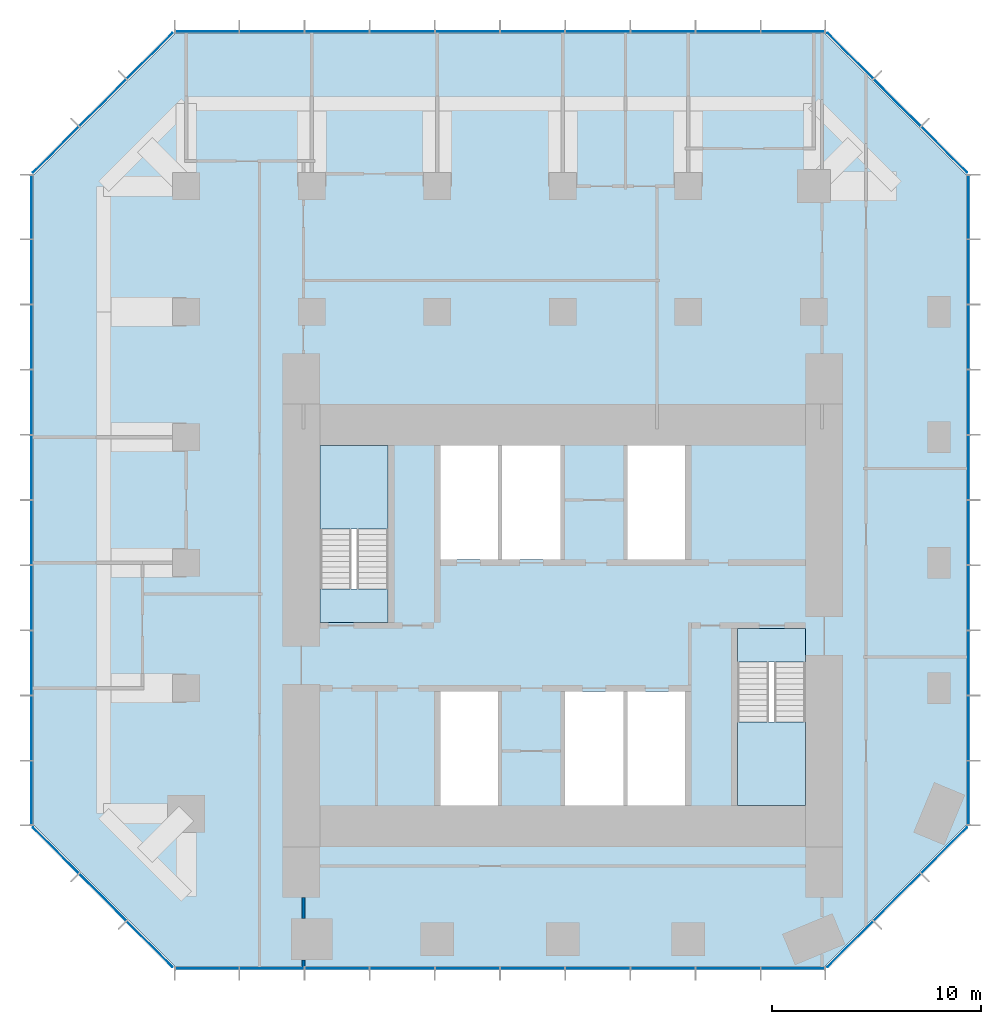
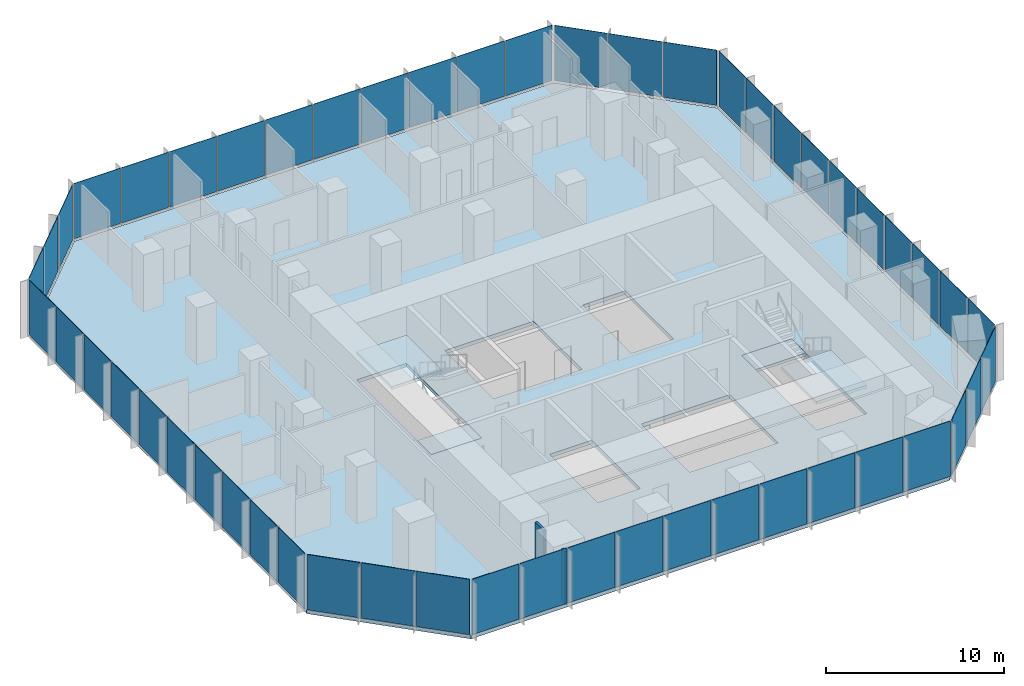
# One storey, part 7 of 11: 52 plates, 5 slabs, 2 walls, 10 elements without a shape of their own.
"""IFC4 building model written with IfcOpenShell, lengths in metres."""

from ifc_helpers import new_model, si_unit, direction, frame, frame_2d, origin, origin_2d, place, context, subcontext, project, spatial, polyline, rectangle, outline, extrude, material, layer, layer_set, type_object, element, aggregate, save


model = new_model("IFC4")

# Units and contexts
model_context = context("Model", 3, precision=1e-05, world=origin(), true_north=direction((0.0, 1.0)))
body_context = subcontext(model_context, "Body", "Model", "MODEL_VIEW")
ifc_project = project(units=[si_unit("LENGTHUNIT", "METRE"), si_unit("AREAUNIT", "SQUARE_METRE"), si_unit("VOLUMEUNIT", "CUBIC_METRE"), si_unit("PLANEANGLEUNIT", "RADIAN"), si_unit("MASSUNIT", "GRAM", prefix="KILO")], contexts=[model_context])

# Site, building, storey
site_placement = place(None, origin())
site = spatial("IfcSite", under=ifc_project, at=site_placement, CompositionType="ELEMENT")
building_placement = place(site_placement, origin())
building = spatial("IfcBuilding", under=site, at=building_placement, Name="Highveld Stack Headquarters", CompositionType="ELEMENT")
storey_placement = place(building_placement, frame((0.0, 0.0, 204.5)))
storey = spatial("IfcBuildingStorey", under=building, at=storey_placement, Name="L50", CompositionType="ELEMENT", Elevation=204.5)

# Curtain wall, plates
ifc_material_1 = material(Name="Aluminium bronze anodised", Category="aluminium")
ifc_layer_1 = layer(ifc_material_1, 0.199951171875)
ifc_layer_set_1 = layer_set([ifc_layer_1], Name="Aluminium bronze anodised")
curtain_wall_type_1 = type_object("IfcCurtainWallType", Name="CW1 TOWER UNITISED CURTAIN WALL", PredefinedType="NOTDEFINED", material=ifc_layer_set_1)
curtain_wall_1_placement = place(storey_placement, origin())
curtain_wall_1 = element("IfcCurtainWall", 1, at=curtain_wall_1_placement, inside=storey, type_object=curtain_wall_type_1, Name="Curtain wall CW1 L50 S", PredefinedType="NOTDEFINED")
ifc_material_2 = material(Name="Glass bronze tinted double glazed unit", Category="glass")
ifc_layer_2 = layer(ifc_material_2, 0.028076171875)
ifc_layer_set_2 = layer_set([ifc_layer_2], Name="Glass bronze tinted double glazed unit")
plate_type_1 = type_object("IfcPlateType", Name="CW1 PANEL BRONZE TINTED DOUBLE GLAZED UNIT", PredefinedType="CURTAIN_PANEL", material=ifc_layer_set_2)
plate_1_placement = place(storey_placement, frame((-11.005615234375, -13.39990234375, 0.10009765625), z_axis=(0.0, 0.0, 1.0), x_axis=(1.0, 0.0, 0.0)))
plate_1 = element("IfcPlate", 2, at=plate_1_placement, type_object=plate_type_1, Name="CW1 panel L50 1.1", PredefinedType="CURTAIN_PANEL", context=body_context, shape_type="SweptSolid", body=[
    extrude(rectangle(XDim=3.0185546875, YDim=0.028076171875, at=origin_2d()), origin(), (0.0, 0.0, 1.0), 3.800048828125),
])
plate_2_placement = place(storey_placement, frame((-7.906005859375, -13.39990234375, 0.10009765625), z_axis=(0.0, 0.0, 1.0), x_axis=(1.0, 0.0, 0.0)))
plate_2 = element("IfcPlate", 3, at=plate_2_placement, type_object=plate_type_1, Name="CW1 panel L50 2.1", PredefinedType="CURTAIN_PANEL", context=body_context, shape_type="SweptSolid", body=[
    extrude(rectangle(XDim=3.051025390625, YDim=0.028076171875, at=origin_2d()), origin(), (0.0, 0.0, 1.0), 3.800048828125),
])
plate_3_placement = place(storey_placement, frame((-4.7900390625, -13.39990234375, 0.10009765625), z_axis=(0.0, 0.0, 1.0), x_axis=(1.0, 0.0, 0.0)))
plate_3 = element("IfcPlate", 4, at=plate_3_placement, type_object=plate_type_1, Name="CW1 panel L50 3.1", PredefinedType="CURTAIN_PANEL", context=body_context, shape_type="SweptSolid", body=[
    extrude(rectangle(XDim=3.051025390625, YDim=0.028076171875, at=origin_2d()), origin(), (0.0, 0.0, 1.0), 3.800048828125),
])
plate_4_placement = place(storey_placement, frame((-1.674072265625, -13.39990234375, 0.10009765625), z_axis=(0.0, 0.0, 1.0), x_axis=(1.0, 0.0, 0.0)))
plate_4 = element("IfcPlate", 5, at=plate_4_placement, type_object=plate_type_1, Name="CW1 panel L50 4.1", PredefinedType="CURTAIN_PANEL", context=body_context, shape_type="SweptSolid", body=[
    extrude(rectangle(XDim=3.051025390625, YDim=0.028076171875, at=origin_2d()), origin(), (0.0, 0.0, 1.0), 3.800048828125),
])
plate_5_placement = place(storey_placement, frame((1.44189453125, -13.39990234375, 0.10009765625), z_axis=(0.0, 0.0, 1.0), x_axis=(1.0, 0.0, 0.0)))
plate_5 = element("IfcPlate", 6, at=plate_5_placement, type_object=plate_type_1, Name="CW1 panel L50 5.1", PredefinedType="CURTAIN_PANEL", context=body_context, shape_type="SweptSolid", body=[
    extrude(rectangle(XDim=3.051025390625, YDim=0.028076171875, at=origin_2d()), origin(), (0.0, 0.0, 1.0), 3.800048828125),
])
plate_6_placement = place(storey_placement, frame((4.55810546875, -13.39990234375, 0.10009765625), z_axis=(0.0, 0.0, 1.0), x_axis=(1.0, 0.0, 0.0)))
plate_6 = element("IfcPlate", 7, at=plate_6_placement, type_object=plate_type_1, Name="CW1 panel L50 6.1", PredefinedType="CURTAIN_PANEL", context=body_context, shape_type="SweptSolid", body=[
    extrude(rectangle(XDim=3.051025390625, YDim=0.028076171875, at=origin_2d()), origin(), (0.0, 0.0, 1.0), 3.800048828125),
])
plate_7_placement = place(storey_placement, frame((7.674072265625, -13.39990234375, 0.10009765625), z_axis=(0.0, 0.0, 1.0), x_axis=(1.0, 0.0, 0.0)))
plate_7 = element("IfcPlate", 8, at=plate_7_placement, type_object=plate_type_1, Name="CW1 panel L50 7.1", PredefinedType="CURTAIN_PANEL", context=body_context, shape_type="SweptSolid", body=[
    extrude(rectangle(XDim=3.051025390625, YDim=0.028076171875, at=origin_2d()), origin(), (0.0, 0.0, 1.0), 3.800048828125),
])
plate_8_placement = place(storey_placement, frame((10.789794921875, -13.39990234375, 0.10009765625), z_axis=(0.0, 0.0, 1.0), x_axis=(1.0, 0.0, 0.0)))
plate_8 = element("IfcPlate", 9, at=plate_8_placement, type_object=plate_type_1, Name="CW1 panel L50 8.1", PredefinedType="CURTAIN_PANEL", context=body_context, shape_type="SweptSolid", body=[
    extrude(rectangle(XDim=3.051025390625, YDim=0.028076171875, at=origin_2d()), origin(), (0.0, 0.0, 1.0), 3.800048828125),
])
plate_9_placement = place(storey_placement, frame((13.906005859375, -13.39990234375, 0.10009765625), z_axis=(0.0, 0.0, 1.0), x_axis=(1.0, 0.0, 0.0)))
plate_9 = element("IfcPlate", 10, at=plate_9_placement, type_object=plate_type_1, Name="CW1 panel L50 9.1", PredefinedType="CURTAIN_PANEL", context=body_context, shape_type="SweptSolid", body=[
    extrude(rectangle(XDim=3.051025390625, YDim=0.028076171875, at=origin_2d()), origin(), (0.0, 0.0, 1.0), 3.800048828125),
])
plate_10_placement = place(storey_placement, frame((17.005615234375, -13.39990234375, 0.10009765625), z_axis=(0.0, 0.0, 1.0), x_axis=(1.0, 0.0, 0.0)))
plate_10 = element("IfcPlate", 11, at=plate_10_placement, type_object=plate_type_1, Name="CW1 panel L50 10.1", PredefinedType="CURTAIN_PANEL", context=body_context, shape_type="SweptSolid", body=[
    extrude(rectangle(XDim=3.0185546875, YDim=0.028076171875, at=origin_2d()), origin(), (0.0, 0.0, 1.0), 3.800048828125),
])
aggregate(curtain_wall_1, [plate_1, plate_2, plate_3, plate_4, plate_5, plate_6, plate_7, plate_8, plate_9, plate_10])

curtain_wall_2_placement = place(storey_placement, origin())
curtain_wall_2 = element("IfcCurtainWall", 12, at=curtain_wall_2_placement, inside=storey, type_object=curtain_wall_type_1, Name="Curtain wall CW1 L50 E", PredefinedType="NOTDEFINED")
plate_11_placement = place(storey_placement, frame((25.39990234375, -5.005615234375, 0.10009765625), z_axis=(0.0, 0.0, 1.0), x_axis=(0.0, 1.0, 0.0)))
plate_11 = element("IfcPlate", 13, at=plate_11_placement, type_object=plate_type_1, Name="CW1 panel L50 1.1", PredefinedType="CURTAIN_PANEL", context=body_context, shape_type="SweptSolid", body=[
    extrude(rectangle(XDim=3.0185546875, YDim=0.028076171875, at=origin_2d()), origin(), (0.0, 0.0, 1.0), 3.800048828125),
])
plate_12_placement = place(storey_placement, frame((25.39990234375, -1.906005859375, 0.10009765625), z_axis=(0.0, 0.0, 1.0), x_axis=(0.0, 1.0, 0.0)))
plate_12 = element("IfcPlate", 14, at=plate_12_placement, type_object=plate_type_1, Name="CW1 panel L50 2.1", PredefinedType="CURTAIN_PANEL", context=body_context, shape_type="SweptSolid", body=[
    extrude(rectangle(XDim=3.051025390625, YDim=0.028076171875, at=origin_2d()), origin(), (0.0, 0.0, 1.0), 3.800048828125),
])
plate_13_placement = place(storey_placement, frame((25.39990234375, 1.2099609375, 0.10009765625), z_axis=(0.0, 0.0, 1.0), x_axis=(0.0, 1.0, 0.0)))
plate_13 = element("IfcPlate", 15, at=plate_13_placement, type_object=plate_type_1, Name="CW1 panel L50 3.1", PredefinedType="CURTAIN_PANEL", context=body_context, shape_type="SweptSolid", body=[
    extrude(rectangle(XDim=3.051025390625, YDim=0.028076171875, at=origin_2d()), origin(), (0.0, 0.0, 1.0), 3.800048828125),
])
plate_14_placement = place(storey_placement, frame((25.39990234375, 4.325927734375, 0.10009765625), z_axis=(0.0, 0.0, 1.0), x_axis=(0.0, 1.0, 0.0)))
plate_14 = element("IfcPlate", 16, at=plate_14_placement, type_object=plate_type_1, Name="CW1 panel L50 4.1", PredefinedType="CURTAIN_PANEL", context=body_context, shape_type="SweptSolid", body=[
    extrude(rectangle(XDim=3.051025390625, YDim=0.028076171875, at=origin_2d()), origin(), (0.0, 0.0, 1.0), 3.800048828125),
])
plate_15_placement = place(storey_placement, frame((25.39990234375, 7.44189453125, 0.10009765625), z_axis=(0.0, 0.0, 1.0), x_axis=(0.0, 1.0, 0.0)))
plate_15 = element("IfcPlate", 17, at=plate_15_placement, type_object=plate_type_1, Name="CW1 panel L50 5.1", PredefinedType="CURTAIN_PANEL", context=body_context, shape_type="SweptSolid", body=[
    extrude(rectangle(XDim=3.051025390625, YDim=0.028076171875, at=origin_2d()), origin(), (0.0, 0.0, 1.0), 3.800048828125),
])
plate_16_placement = place(storey_placement, frame((25.39990234375, 10.55810546875, 0.10009765625), z_axis=(0.0, 0.0, 1.0), x_axis=(0.0, 1.0, 0.0)))
plate_16 = element("IfcPlate", 18, at=plate_16_placement, type_object=plate_type_1, Name="CW1 panel L50 6.1", PredefinedType="CURTAIN_PANEL", context=body_context, shape_type="SweptSolid", body=[
    extrude(rectangle(XDim=3.051025390625, YDim=0.028076171875, at=origin_2d()), origin(), (0.0, 0.0, 1.0), 3.800048828125),
])
plate_17_placement = place(storey_placement, frame((25.39990234375, 13.674072265625, 0.10009765625), z_axis=(0.0, 0.0, 1.0), x_axis=(0.0, 1.0, 0.0)))
plate_17 = element("IfcPlate", 19, at=plate_17_placement, type_object=plate_type_1, Name="CW1 panel L50 7.1", PredefinedType="CURTAIN_PANEL", context=body_context, shape_type="SweptSolid", body=[
    extrude(rectangle(XDim=3.051025390625, YDim=0.028076171875, at=origin_2d()), origin(), (0.0, 0.0, 1.0), 3.800048828125),
])
plate_18_placement = place(storey_placement, frame((25.39990234375, 16.789794921875, 0.10009765625), z_axis=(0.0, 0.0, 1.0), x_axis=(0.0, 1.0, 0.0)))
plate_18 = element("IfcPlate", 20, at=plate_18_placement, type_object=plate_type_1, Name="CW1 panel L50 8.1", PredefinedType="CURTAIN_PANEL", context=body_context, shape_type="SweptSolid", body=[
    extrude(rectangle(XDim=3.051025390625, YDim=0.028076171875, at=origin_2d()), origin(), (0.0, 0.0, 1.0), 3.800048828125),
])
plate_19_placement = place(storey_placement, frame((25.39990234375, 19.906005859375, 0.10009765625), z_axis=(0.0, 0.0, 1.0), x_axis=(0.0, 1.0, 0.0)))
plate_19 = element("IfcPlate", 21, at=plate_19_placement, type_object=plate_type_1, Name="CW1 panel L50 9.1", PredefinedType="CURTAIN_PANEL", context=body_context, shape_type="SweptSolid", body=[
    extrude(rectangle(XDim=3.051025390625, YDim=0.028076171875, at=origin_2d()), origin(), (0.0, 0.0, 1.0), 3.800048828125),
])
plate_20_placement = place(storey_placement, frame((25.39990234375, 23.005615234375, 0.10009765625), z_axis=(0.0, 0.0, 1.0), x_axis=(0.0, 1.0, 0.0)))
plate_20 = element("IfcPlate", 22, at=plate_20_placement, type_object=plate_type_1, Name="CW1 panel L50 10.1", PredefinedType="CURTAIN_PANEL", context=body_context, shape_type="SweptSolid", body=[
    extrude(rectangle(XDim=3.0185546875, YDim=0.028076171875, at=origin_2d()), origin(), (0.0, 0.0, 1.0), 3.800048828125),
])
aggregate(curtain_wall_2, [plate_11, plate_12, plate_13, plate_14, plate_15, plate_16, plate_17, plate_18, plate_19, plate_20])

curtain_wall_3_placement = place(storey_placement, origin())
curtain_wall_3 = element("IfcCurtainWall", 23, at=curtain_wall_3_placement, inside=storey, type_object=curtain_wall_type_1, Name="Curtain wall CW1 L50 N", PredefinedType="NOTDEFINED")
plate_21_placement = place(storey_placement, frame((17.005615234375, 31.39990234375, 0.10009765625), z_axis=(0.0, 0.0, 1.0), x_axis=(-1.0, 0.0, 0.0)))
plate_21 = element("IfcPlate", 24, at=plate_21_placement, type_object=plate_type_1, Name="CW1 panel L50 1.1", PredefinedType="CURTAIN_PANEL", context=body_context, shape_type="SweptSolid", body=[
    extrude(rectangle(XDim=3.0185546875, YDim=0.028076171875, at=origin_2d()), origin(), (0.0, 0.0, 1.0), 3.800048828125),
])
plate_22_placement = place(storey_placement, frame((13.906005859375, 31.39990234375, 0.10009765625), z_axis=(0.0, 0.0, 1.0), x_axis=(-1.0, 0.0, 0.0)))
plate_22 = element("IfcPlate", 25, at=plate_22_placement, type_object=plate_type_1, Name="CW1 panel L50 2.1", PredefinedType="CURTAIN_PANEL", context=body_context, shape_type="SweptSolid", body=[
    extrude(rectangle(XDim=3.051025390625, YDim=0.028076171875, at=origin_2d()), origin(), (0.0, 0.0, 1.0), 3.800048828125),
])
plate_23_placement = place(storey_placement, frame((10.7900390625, 31.39990234375, 0.10009765625), z_axis=(0.0, 0.0, 1.0), x_axis=(-1.0, 0.0, 0.0)))
plate_23 = element("IfcPlate", 26, at=plate_23_placement, type_object=plate_type_1, Name="CW1 panel L50 3.1", PredefinedType="CURTAIN_PANEL", context=body_context, shape_type="SweptSolid", body=[
    extrude(rectangle(XDim=3.051025390625, YDim=0.028076171875, at=origin_2d()), origin(), (0.0, 0.0, 1.0), 3.800048828125),
])
plate_24_placement = place(storey_placement, frame((7.674072265625, 31.39990234375, 0.10009765625), z_axis=(0.0, 0.0, 1.0), x_axis=(-1.0, 0.0, 0.0)))
plate_24 = element("IfcPlate", 27, at=plate_24_placement, type_object=plate_type_1, Name="CW1 panel L50 4.1", PredefinedType="CURTAIN_PANEL", context=body_context, shape_type="SweptSolid", body=[
    extrude(rectangle(XDim=3.051025390625, YDim=0.028076171875, at=origin_2d()), origin(), (0.0, 0.0, 1.0), 3.800048828125),
])
plate_25_placement = place(storey_placement, frame((4.55810546875, 31.39990234375, 0.10009765625), z_axis=(0.0, 0.0, 1.0), x_axis=(-1.0, 0.0, 0.0)))
plate_25 = element("IfcPlate", 28, at=plate_25_placement, type_object=plate_type_1, Name="CW1 panel L50 5.1", PredefinedType="CURTAIN_PANEL", context=body_context, shape_type="SweptSolid", body=[
    extrude(rectangle(XDim=3.051025390625, YDim=0.028076171875, at=origin_2d()), origin(), (0.0, 0.0, 1.0), 3.800048828125),
])
plate_26_placement = place(storey_placement, frame((1.44189453125, 31.39990234375, 0.10009765625), z_axis=(0.0, 0.0, 1.0), x_axis=(-1.0, 0.0, 0.0)))
plate_26 = element("IfcPlate", 29, at=plate_26_placement, type_object=plate_type_1, Name="CW1 panel L50 6.1", PredefinedType="CURTAIN_PANEL", context=body_context, shape_type="SweptSolid", body=[
    extrude(rectangle(XDim=3.051025390625, YDim=0.028076171875, at=origin_2d()), origin(), (0.0, 0.0, 1.0), 3.800048828125),
])
plate_27_placement = place(storey_placement, frame((-1.674072265625, 31.39990234375, 0.10009765625), z_axis=(0.0, 0.0, 1.0), x_axis=(-1.0, 0.0, 0.0)))
plate_27 = element("IfcPlate", 30, at=plate_27_placement, type_object=plate_type_1, Name="CW1 panel L50 7.1", PredefinedType="CURTAIN_PANEL", context=body_context, shape_type="SweptSolid", body=[
    extrude(rectangle(XDim=3.051025390625, YDim=0.028076171875, at=origin_2d()), origin(), (0.0, 0.0, 1.0), 3.800048828125),
])
plate_28_placement = place(storey_placement, frame((-4.789794921875, 31.39990234375, 0.10009765625), z_axis=(0.0, 0.0, 1.0), x_axis=(-1.0, 0.0, 0.0)))
plate_28 = element("IfcPlate", 31, at=plate_28_placement, type_object=plate_type_1, Name="CW1 panel L50 8.1", PredefinedType="CURTAIN_PANEL", context=body_context, shape_type="SweptSolid", body=[
    extrude(rectangle(XDim=3.051025390625, YDim=0.028076171875, at=origin_2d()), origin(), (0.0, 0.0, 1.0), 3.800048828125),
])
plate_29_placement = place(storey_placement, frame((-7.906005859375, 31.39990234375, 0.10009765625), z_axis=(0.0, 0.0, 1.0), x_axis=(-1.0, 0.0, 0.0)))
plate_29 = element("IfcPlate", 32, at=plate_29_placement, type_object=plate_type_1, Name="CW1 panel L50 9.1", PredefinedType="CURTAIN_PANEL", context=body_context, shape_type="SweptSolid", body=[
    extrude(rectangle(XDim=3.051025390625, YDim=0.028076171875, at=origin_2d()), origin(), (0.0, 0.0, 1.0), 3.800048828125),
])
plate_30_placement = place(storey_placement, frame((-11.005615234375, 31.39990234375, 0.10009765625), z_axis=(0.0, 0.0, 1.0), x_axis=(-1.0, 0.0, 0.0)))
plate_30 = element("IfcPlate", 33, at=plate_30_placement, type_object=plate_type_1, Name="CW1 panel L50 10.1", PredefinedType="CURTAIN_PANEL", context=body_context, shape_type="SweptSolid", body=[
    extrude(rectangle(XDim=3.0185546875, YDim=0.028076171875, at=origin_2d()), origin(), (0.0, 0.0, 1.0), 3.800048828125),
])
aggregate(curtain_wall_3, [plate_21, plate_22, plate_23, plate_24, plate_25, plate_26, plate_27, plate_28, plate_29, plate_30])

curtain_wall_4_placement = place(storey_placement, origin())
curtain_wall_4 = element("IfcCurtainWall", 34, at=curtain_wall_4_placement, inside=storey, type_object=curtain_wall_type_1, Name="Curtain wall CW1 L50 W", PredefinedType="NOTDEFINED")
plate_31_placement = place(storey_placement, frame((-19.39990234375, 23.005615234375, 0.10009765625), z_axis=(0.0, 0.0, 1.0), x_axis=(0.0, -1.0, 0.0)))
plate_31 = element("IfcPlate", 35, at=plate_31_placement, type_object=plate_type_1, Name="CW1 panel L50 1.1", PredefinedType="CURTAIN_PANEL", context=body_context, shape_type="SweptSolid", body=[
    extrude(rectangle(XDim=3.0185546875, YDim=0.028076171875, at=origin_2d()), origin(), (0.0, 0.0, 1.0), 3.800048828125),
])
plate_32_placement = place(storey_placement, frame((-19.39990234375, 19.906005859375, 0.10009765625), z_axis=(0.0, 0.0, 1.0), x_axis=(0.0, -1.0, 0.0)))
plate_32 = element("IfcPlate", 36, at=plate_32_placement, type_object=plate_type_1, Name="CW1 panel L50 2.1", PredefinedType="CURTAIN_PANEL", context=body_context, shape_type="SweptSolid", body=[
    extrude(rectangle(XDim=3.051025390625, YDim=0.028076171875, at=origin_2d()), origin(), (0.0, 0.0, 1.0), 3.800048828125),
])
plate_33_placement = place(storey_placement, frame((-19.39990234375, 16.7900390625, 0.10009765625), z_axis=(0.0, 0.0, 1.0), x_axis=(0.0, -1.0, 0.0)))
plate_33 = element("IfcPlate", 37, at=plate_33_placement, type_object=plate_type_1, Name="CW1 panel L50 3.1", PredefinedType="CURTAIN_PANEL", context=body_context, shape_type="SweptSolid", body=[
    extrude(rectangle(XDim=3.051025390625, YDim=0.028076171875, at=origin_2d()), origin(), (0.0, 0.0, 1.0), 3.800048828125),
])
plate_34_placement = place(storey_placement, frame((-19.39990234375, 13.674072265625, 0.10009765625), z_axis=(0.0, 0.0, 1.0), x_axis=(0.0, -1.0, 0.0)))
plate_34 = element("IfcPlate", 38, at=plate_34_placement, type_object=plate_type_1, Name="CW1 panel L50 4.1", PredefinedType="CURTAIN_PANEL", context=body_context, shape_type="SweptSolid", body=[
    extrude(rectangle(XDim=3.051025390625, YDim=0.028076171875, at=origin_2d()), origin(), (0.0, 0.0, 1.0), 3.800048828125),
])
plate_35_placement = place(storey_placement, frame((-19.39990234375, 10.55810546875, 0.10009765625), z_axis=(0.0, 0.0, 1.0), x_axis=(0.0, -1.0, 0.0)))
plate_35 = element("IfcPlate", 39, at=plate_35_placement, type_object=plate_type_1, Name="CW1 panel L50 5.1", PredefinedType="CURTAIN_PANEL", context=body_context, shape_type="SweptSolid", body=[
    extrude(rectangle(XDim=3.051025390625, YDim=0.028076171875, at=origin_2d()), origin(), (0.0, 0.0, 1.0), 3.800048828125),
])
plate_36_placement = place(storey_placement, frame((-19.39990234375, 7.44189453125, 0.10009765625), z_axis=(0.0, 0.0, 1.0), x_axis=(0.0, -1.0, 0.0)))
plate_36 = element("IfcPlate", 40, at=plate_36_placement, type_object=plate_type_1, Name="CW1 panel L50 6.1", PredefinedType="CURTAIN_PANEL", context=body_context, shape_type="SweptSolid", body=[
    extrude(rectangle(XDim=3.051025390625, YDim=0.028076171875, at=origin_2d()), origin(), (0.0, 0.0, 1.0), 3.800048828125),
])
plate_37_placement = place(storey_placement, frame((-19.39990234375, 4.325927734375, 0.10009765625), z_axis=(0.0, 0.0, 1.0), x_axis=(0.0, -1.0, 0.0)))
plate_37 = element("IfcPlate", 41, at=plate_37_placement, type_object=plate_type_1, Name="CW1 panel L50 7.1", PredefinedType="CURTAIN_PANEL", context=body_context, shape_type="SweptSolid", body=[
    extrude(rectangle(XDim=3.051025390625, YDim=0.028076171875, at=origin_2d()), origin(), (0.0, 0.0, 1.0), 3.800048828125),
])
plate_38_placement = place(storey_placement, frame((-19.39990234375, 1.210205078125, 0.10009765625), z_axis=(0.0, 0.0, 1.0), x_axis=(0.0, -1.0, 0.0)))
plate_38 = element("IfcPlate", 42, at=plate_38_placement, type_object=plate_type_1, Name="CW1 panel L50 8.1", PredefinedType="CURTAIN_PANEL", context=body_context, shape_type="SweptSolid", body=[
    extrude(rectangle(XDim=3.051025390625, YDim=0.028076171875, at=origin_2d()), origin(), (0.0, 0.0, 1.0), 3.800048828125),
])
plate_39_placement = place(storey_placement, frame((-19.39990234375, -1.906005859375, 0.10009765625), z_axis=(0.0, 0.0, 1.0), x_axis=(0.0, -1.0, 0.0)))
plate_39 = element("IfcPlate", 43, at=plate_39_placement, type_object=plate_type_1, Name="CW1 panel L50 9.1", PredefinedType="CURTAIN_PANEL", context=body_context, shape_type="SweptSolid", body=[
    extrude(rectangle(XDim=3.051025390625, YDim=0.028076171875, at=origin_2d()), origin(), (0.0, 0.0, 1.0), 3.800048828125),
])
plate_40_placement = place(storey_placement, frame((-19.39990234375, -5.005615234375, 0.10009765625), z_axis=(0.0, 0.0, 1.0), x_axis=(0.0, -1.0, 0.0)))
plate_40 = element("IfcPlate", 44, at=plate_40_placement, type_object=plate_type_1, Name="CW1 panel L50 10.1", PredefinedType="CURTAIN_PANEL", context=body_context, shape_type="SweptSolid", body=[
    extrude(rectangle(XDim=3.0185546875, YDim=0.028076171875, at=origin_2d()), origin(), (0.0, 0.0, 1.0), 3.800048828125),
])
aggregate(curtain_wall_4, [plate_31, plate_32, plate_33, plate_34, plate_35, plate_36, plate_37, plate_38, plate_39, plate_40])

ifc_material_3 = material(Name="Aluminium bronze anodised", Category="aluminium")
ifc_layer_3 = layer(ifc_material_3, 0.199951171875)
ifc_layer_set_3 = layer_set([ifc_layer_3], Name="Aluminium bronze anodised")
curtain_wall_type_2 = type_object("IfcCurtainWallType", Name="CW2 TOWER CHAMFER UNITISED CURTAIN WALL", PredefinedType="NOTDEFINED", material=ifc_layer_set_3)
curtain_wall_5_placement = place(storey_placement, origin())
curtain_wall_5 = element("IfcCurtainWall", 45, at=curtain_wall_5_placement, inside=storey, type_object=curtain_wall_type_2, Name="Curtain wall CW2 L50 SE", PredefinedType="NOTDEFINED")
ifc_material_4 = material(Name="Glass bronze tinted double glazed unit", Category="glass")
ifc_layer_4 = layer(ifc_material_4, 0.028076171875)
ifc_layer_set_4 = layer_set([ifc_layer_4], Name="Glass bronze tinted double glazed unit")
plate_type_2 = type_object("IfcPlateType", Name="CW2 PANEL BRONZE TINTED DOUBLE GLAZED UNIT", PredefinedType="CURTAIN_PANEL", material=ifc_layer_set_4)
plate_41_placement = place(storey_placement, frame((19.740478515625, -12.239501953125, 0.10009765625), z_axis=(0.0, 0.0, 1.0), x_axis=(0.707106781187, 0.707106781187, 0.0)))
plate_41 = element("IfcPlate", 46, at=plate_41_placement, type_object=plate_type_2, Name="CW2 panel L50 1.1", PredefinedType="CURTAIN_PANEL", context=body_context, shape_type="SweptSolid", body=[
    extrude(rectangle(XDim=3.08251953125, YDim=0.028076171875, at=origin_2d()), origin(), (0.0, 0.0, 1.0), 3.800048828125),
])
plate_42_placement = place(storey_placement, frame((21.989990234375, -9.989990234375, 0.10009765625), z_axis=(0.0, 0.0, 1.0), x_axis=(0.707106781187, 0.707106781187, 0.0)))
plate_42 = element("IfcPlate", 47, at=plate_42_placement, type_object=plate_type_2, Name="CW2 panel L50 2.1", PredefinedType="CURTAIN_PANEL", context=body_context, shape_type="SweptSolid", body=[
    extrude(rectangle(XDim=3.14990234375, YDim=0.028076171875, at=origin_2d()), origin(), (0.0, 0.0, 1.0), 3.800048828125),
])
plate_43_placement = place(storey_placement, frame((24.239501953125, -7.740478515625, 0.10009765625), z_axis=(0.0, 0.0, 1.0), x_axis=(0.707106781187, 0.707106781187, 0.0)))
plate_43 = element("IfcPlate", 48, at=plate_43_placement, type_object=plate_type_2, Name="CW2 panel L50 3.1", PredefinedType="CURTAIN_PANEL", context=body_context, shape_type="SweptSolid", body=[
    extrude(rectangle(XDim=3.08251953125, YDim=0.028076171875, at=origin_2d()), origin(), (0.0, 0.0, 1.0), 3.800048828125),
])
aggregate(curtain_wall_5, [plate_41, plate_42, plate_43])

curtain_wall_6_placement = place(storey_placement, origin())
curtain_wall_6 = element("IfcCurtainWall", 49, at=curtain_wall_6_placement, inside=storey, type_object=curtain_wall_type_2, Name="Curtain wall CW2 L50 NE", PredefinedType="NOTDEFINED")
plate_44_placement = place(storey_placement, frame((24.239501953125, 25.740478515625, 0.10009765625), z_axis=(0.0, 0.0, 1.0), x_axis=(-0.707106781187, 0.707106781187, 0.0)))
plate_44 = element("IfcPlate", 50, at=plate_44_placement, type_object=plate_type_2, Name="CW2 panel L50 1.1", PredefinedType="CURTAIN_PANEL", context=body_context, shape_type="SweptSolid", body=[
    extrude(rectangle(XDim=3.08251953125, YDim=0.028076171875, at=origin_2d()), origin(), (0.0, 0.0, 1.0), 3.800048828125),
])
plate_45_placement = place(storey_placement, frame((21.989990234375, 27.989990234375, 0.10009765625), z_axis=(0.0, 0.0, 1.0), x_axis=(-0.707106781187, 0.707106781187, 0.0)))
plate_45 = element("IfcPlate", 51, at=plate_45_placement, type_object=plate_type_2, Name="CW2 panel L50 2.1", PredefinedType="CURTAIN_PANEL", context=body_context, shape_type="SweptSolid", body=[
    extrude(rectangle(XDim=3.14990234375, YDim=0.028076171875, at=origin_2d()), origin(), (0.0, 0.0, 1.0), 3.800048828125),
])
plate_46_placement = place(storey_placement, frame((19.740478515625, 30.239501953125, 0.10009765625), z_axis=(0.0, 0.0, 1.0), x_axis=(-0.707106781187, 0.707106781187, 0.0)))
plate_46 = element("IfcPlate", 52, at=plate_46_placement, type_object=plate_type_2, Name="CW2 panel L50 3.1", PredefinedType="CURTAIN_PANEL", context=body_context, shape_type="SweptSolid", body=[
    extrude(rectangle(XDim=3.08251953125, YDim=0.028076171875, at=origin_2d()), origin(), (0.0, 0.0, 1.0), 3.800048828125),
])
aggregate(curtain_wall_6, [plate_44, plate_45, plate_46])

curtain_wall_7_placement = place(storey_placement, origin())
curtain_wall_7 = element("IfcCurtainWall", 53, at=curtain_wall_7_placement, inside=storey, type_object=curtain_wall_type_2, Name="Curtain wall CW2 L50 NW", PredefinedType="NOTDEFINED")
plate_47_placement = place(storey_placement, frame((-13.740478515625, 30.239501953125, 0.10009765625), z_axis=(0.0, 0.0, 1.0), x_axis=(-0.707106781187, -0.707106781187, 0.0)))
plate_47 = element("IfcPlate", 54, at=plate_47_placement, type_object=plate_type_2, Name="CW2 panel L50 1.1", PredefinedType="CURTAIN_PANEL", context=body_context, shape_type="SweptSolid", body=[
    extrude(rectangle(XDim=3.08251953125, YDim=0.028076171875, at=origin_2d()), origin(), (0.0, 0.0, 1.0), 3.800048828125),
])
plate_48_placement = place(storey_placement, frame((-15.989990234375, 27.989990234375, 0.10009765625), z_axis=(0.0, 0.0, 1.0), x_axis=(-0.707106781187, -0.707106781187, 0.0)))
plate_48 = element("IfcPlate", 55, at=plate_48_placement, type_object=plate_type_2, Name="CW2 panel L50 2.1", PredefinedType="CURTAIN_PANEL", context=body_context, shape_type="SweptSolid", body=[
    extrude(rectangle(XDim=3.14990234375, YDim=0.028076171875, at=origin_2d()), origin(), (0.0, 0.0, 1.0), 3.800048828125),
])
plate_49_placement = place(storey_placement, frame((-18.239501953125, 25.740478515625, 0.10009765625), z_axis=(0.0, 0.0, 1.0), x_axis=(-0.707106781187, -0.707106781187, 0.0)))
plate_49 = element("IfcPlate", 56, at=plate_49_placement, type_object=plate_type_2, Name="CW2 panel L50 3.1", PredefinedType="CURTAIN_PANEL", context=body_context, shape_type="SweptSolid", body=[
    extrude(rectangle(XDim=3.08251953125, YDim=0.028076171875, at=origin_2d()), origin(), (0.0, 0.0, 1.0), 3.800048828125),
])
aggregate(curtain_wall_7, [plate_47, plate_48, plate_49])

curtain_wall_8_placement = place(storey_placement, origin())
curtain_wall_8 = element("IfcCurtainWall", 57, at=curtain_wall_8_placement, inside=storey, type_object=curtain_wall_type_2, Name="Curtain wall CW2 L50 SW", PredefinedType="NOTDEFINED")
plate_50_placement = place(storey_placement, frame((-18.239501953125, -7.740478515625, 0.10009765625), z_axis=(0.0, 0.0, 1.0), x_axis=(0.707106781187, -0.707106781187, 0.0)))
plate_50 = element("IfcPlate", 58, at=plate_50_placement, type_object=plate_type_2, Name="CW2 panel L50 1.1", PredefinedType="CURTAIN_PANEL", context=body_context, shape_type="SweptSolid", body=[
    extrude(rectangle(XDim=3.08251953125, YDim=0.028076171875, at=origin_2d()), origin(), (0.0, 0.0, 1.0), 3.800048828125),
])
plate_51_placement = place(storey_placement, frame((-15.989990234375, -9.989990234375, 0.10009765625), z_axis=(0.0, 0.0, 1.0), x_axis=(0.707106781187, -0.707106781187, 0.0)))
plate_51 = element("IfcPlate", 59, at=plate_51_placement, type_object=plate_type_2, Name="CW2 panel L50 2.1", PredefinedType="CURTAIN_PANEL", context=body_context, shape_type="SweptSolid", body=[
    extrude(rectangle(XDim=3.14990234375, YDim=0.028076171875, at=origin_2d()), origin(), (0.0, 0.0, 1.0), 3.800048828125),
])
plate_52_placement = place(storey_placement, frame((-13.740478515625, -12.239501953125, 0.10009765625), z_axis=(0.0, 0.0, 1.0), x_axis=(0.707106781187, -0.707106781187, 0.0)))
plate_52 = element("IfcPlate", 60, at=plate_52_placement, type_object=plate_type_2, Name="CW2 panel L50 3.1", PredefinedType="CURTAIN_PANEL", context=body_context, shape_type="SweptSolid", body=[
    extrude(rectangle(XDim=3.08251953125, YDim=0.028076171875, at=origin_2d()), origin(), (0.0, 0.0, 1.0), 3.800048828125),
])
aggregate(curtain_wall_8, [plate_50, plate_51, plate_52])

# Slab
ifc_material_5 = material(Name="Concrete C60/75", Category="concrete")
ifc_layer_5 = layer(ifc_material_5, 0.25)
ifc_layer_set_5 = layer_set([ifc_layer_5], Name="Concrete C60/75")
slab_type_1 = type_object("IfcSlabType", Name="PT FLAT SLAB 250", PredefinedType="FLOOR", material=ifc_layer_set_5)
slab_1_placement = place(storey_placement, frame((0.0, 0.0, -0.25)))
element("IfcSlab", 61, at=slab_1_placement, inside=storey, type_object=slab_type_1, Name="Floor slab L50", PredefinedType="FLOOR", context=body_context, shape_type="SweptSolid", body=[
    extrude(outline(polyline([(-12.53857421875, -13.300048828125), (18.53857421875, -13.300048828125), (25.300048828125, -6.53857421875), (25.300048828125, 24.53857421875), (18.53857421875, 31.300048828125), (-12.53857421875, 31.300048828125), (-19.300048828125, 24.53857421875), (-19.300048828125, -6.53857421875), (-12.53857421875, -13.300048828125)]), holes=[polyline([(0.14990234375, 6.14990234375), (5.89990234375, 6.14990234375), (5.89990234375, 11.60009765625), (0.14990234375, 11.60009765625), (0.14990234375, 6.14990234375)]), polyline([(9.10009765625, 6.14990234375), (11.85009765625, 6.14990234375), (11.85009765625, 11.60009765625), (9.10009765625, 11.60009765625), (9.10009765625, 6.14990234375)]), polyline([(6.10009765625, -5.60009765625), (11.85009765625, -5.60009765625), (11.85009765625, -0.14990234375), (6.10009765625, -0.14990234375), (6.10009765625, -5.60009765625)]), polyline([(0.14990234375, -5.60009765625), (2.89990234375, -5.60009765625), (2.89990234375, -0.14990234375), (0.14990234375, -0.14990234375), (0.14990234375, -5.60009765625)]), polyline([(-5.60009765625, 3.14990234375), (-2.35009765625, 3.14990234375), (-2.35009765625, 11.60009765625), (-5.60009765625, 11.60009765625), (-5.60009765625, 3.14990234375)]), polyline([(14.35009765625, -5.60009765625), (17.60009765625, -5.60009765625), (17.60009765625, 2.85009765625), (14.35009765625, 2.85009765625), (14.35009765625, -5.60009765625)])]), origin(), (0.0, 0.0, 1.0), 0.25),
])

# Stair, slabs
ifc_material_6 = material(Name="Concrete C40/50, precast", Category="concrete")
stair_type_1 = type_object("IfcStairType", Name="STAIR S1 HALF TURN 1500", PredefinedType="HALF_TURN_STAIR", material=ifc_material_6)
stair_1_placement = place(storey_placement, origin())
stair_1 = element("IfcStair", 62, at=stair_1_placement, inside=storey, type_object=stair_type_1, Name="Stair S1 L50", PredefinedType="HALF_TURN_STAIR")
ifc_material_7 = material(Name="Concrete C40/50, precast", Category="concrete")
ifc_layer_6 = layer(ifc_material_7, 0.199951171875)
ifc_layer_set_6 = layer_set([ifc_layer_6], Name="Concrete C40/50, precast")
slab_type_2 = type_object("IfcSlabType", Name="STAIR LANDING 200", PredefinedType="LANDING", material=ifc_layer_set_6)
slab_2_placement = place(storey_placement, frame((0.0, 0.0, 1.75)))
slab_2 = element("IfcSlab", 63, at=slab_2_placement, type_object=slab_type_2, Name="S1 landing 1", PredefinedType="LANDING", context=body_context, shape_type="SweptSolid", body=[
    extrude(outline(polyline([(-5.60009765625, 7.610107421875), (-2.35009765625, 7.610107421875), (-2.35009765625, 11.60009765625), (-5.60009765625, 11.60009765625), (-5.60009765625, 7.610107421875)])), origin(), (0.0, 0.0, 1.0), 0.199951171875),
])
slab_3_placement = place(storey_placement, frame((0.0, 0.0, -0.199951171875)))
slab_3 = element("IfcSlab", 64, at=slab_3_placement, type_object=slab_type_2, Name="S1 landing 2", PredefinedType="LANDING", context=body_context, shape_type="SweptSolid", body=[
    extrude(outline(polyline([(-5.60009765625, 3.14990234375), (-2.35009765625, 3.14990234375), (-2.35009765625, 4.75), (-5.60009765625, 4.75), (-5.60009765625, 3.14990234375)])), origin(), (0.0, 0.0, 1.0), 0.199951171875),
])
aggregate(stair_1, [slab_2, slab_3])

ifc_material_8 = material(Name="Concrete C40/50, precast", Category="concrete")
stair_type_2 = type_object("IfcStairType", Name="STAIR S2 HALF TURN 1500", PredefinedType="HALF_TURN_STAIR", material=ifc_material_8)
stair_2_placement = place(storey_placement, origin())
stair_2 = element("IfcStair", 65, at=stair_2_placement, inside=storey, type_object=stair_type_2, Name="Stair S2 L50", PredefinedType="HALF_TURN_STAIR")
slab_4_placement = place(storey_placement, frame((0.0, 0.0, 1.75)))
slab_4 = element("IfcSlab", 66, at=slab_4_placement, type_object=slab_type_2, Name="S2 landing 1", PredefinedType="LANDING", context=body_context, shape_type="SweptSolid", body=[
    extrude(outline(polyline([(14.35009765625, -5.60009765625), (17.60009765625, -5.60009765625), (17.60009765625, -1.610107421875), (14.35009765625, -1.610107421875), (14.35009765625, -5.60009765625)])), origin(), (0.0, 0.0, 1.0), 0.199951171875),
])
slab_5_placement = place(storey_placement, frame((0.0, 0.0, -0.199951171875)))
slab_5 = element("IfcSlab", 67, at=slab_5_placement, type_object=slab_type_2, Name="S2 landing 2", PredefinedType="LANDING", context=body_context, shape_type="SweptSolid", body=[
    extrude(outline(polyline([(14.35009765625, 1.25), (17.60009765625, 1.25), (17.60009765625, 2.85009765625), (14.35009765625, 2.85009765625), (14.35009765625, 1.25)])), origin(), (0.0, 0.0, 1.0), 0.199951171875),
])
aggregate(stair_2, [slab_4, slab_5])

# Walls
ifc_material_9 = material(Name="Gypsum plasterboard on steel studs", Category="steel")
ifc_layer_7 = layer(ifc_material_9, 0.14990234375)
ifc_layer_set_7 = layer_set([ifc_layer_7], Name="Gypsum plasterboard on steel studs")
wall_type = type_object("IfcWallType", Name="PARTITION 150 PLASTERBOARD", PredefinedType="PARTITIONING", material=ifc_layer_set_7)
wall_1_placement = place(storey_placement, frame((-6.39990234375, -13.35009765625, 0.0), z_axis=(0.0, 0.0, 1.0), x_axis=(0.0, 1.0, 0.0)))
element("IfcWall", 68, at=wall_1_placement, inside=storey, type_object=wall_type, Name="Partition office neighbourhood L50", PredefinedType="PARTITIONING", context=body_context, shape_type="SweptSolid", body=[
    extrude(rectangle(XDim=0.35009765625, YDim=0.14990234375, at=frame_2d((0.175048828125, 0.0))), origin(), (0.0, 0.0, 1.0), 3.64990234375),
])
wall_2_placement = place(storey_placement, frame((-6.39990234375, -11.0, 0.0), z_axis=(0.0, 0.0, 1.0), x_axis=(0.0, 1.0, 0.0)))
element("IfcWall", 69, at=wall_2_placement, inside=storey, type_object=wall_type, Name="Partition office neighbourhood L50", PredefinedType="PARTITIONING", context=body_context, shape_type="SweptSolid", body=[
    extrude(rectangle(XDim=1.0, YDim=0.14990234375, at=frame_2d((0.5, 0.0))), origin(), (0.0, 0.0, 1.0), 3.64990234375),
])

save(model, "model.ifc")
